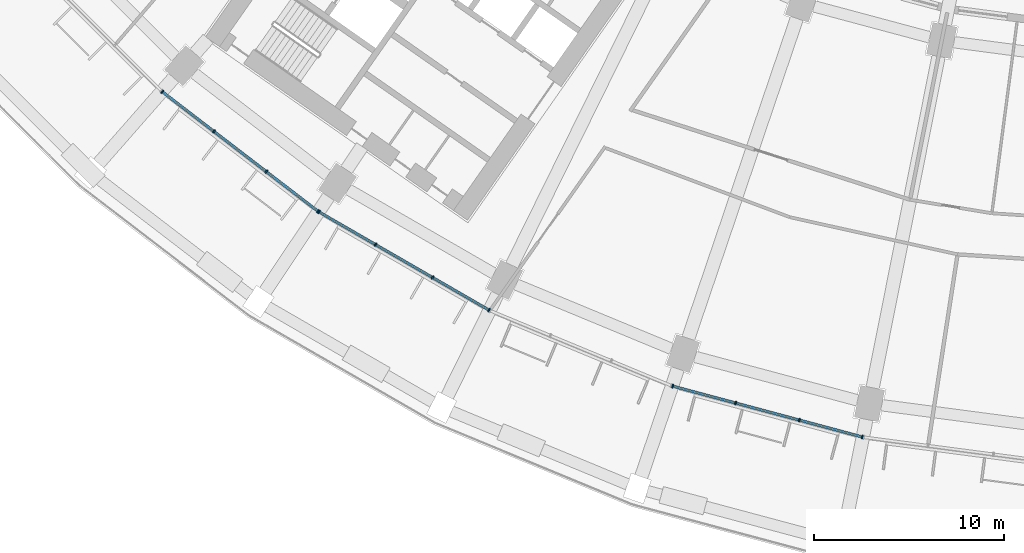
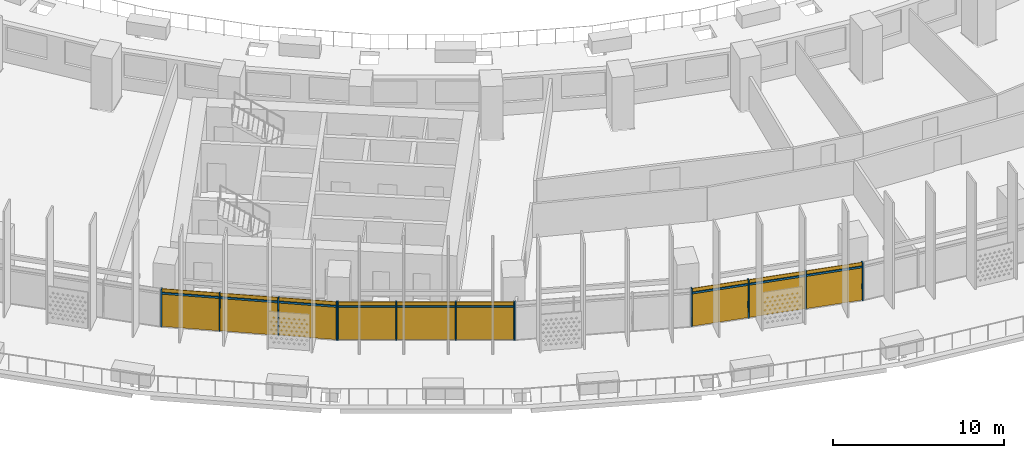
# One storey, part 19 of 35: 21 members, 3 curtain walls.
"""IFC4 building model written with IfcOpenShell, lengths in metres."""

from ifc_helpers import new_model, si_unit, direction, frame, origin, origin_2d, place, context, subcontext, project, spatial, rectangle, extrude, material, material_profile, profile_set, type_object, element, aggregate, save


model = new_model("IFC4")

# Units and contexts
model_context = context("Model", 3, precision=1e-05, world=origin(), true_north=direction((0.0, 1.0)))
body_context = subcontext(model_context, "Body", "Model", "MODEL_VIEW")
ifc_project = project(units=[si_unit("LENGTHUNIT", "METRE"), si_unit("AREAUNIT", "SQUARE_METRE"), si_unit("VOLUMEUNIT", "CUBIC_METRE"), si_unit("PLANEANGLEUNIT", "RADIAN"), si_unit("MASSUNIT", "GRAM", prefix="KILO")], contexts=[model_context])

# Member
ifc_material = material(Name="Aluminium 6063-T6 anodised", Category="aluminium")
ifc_material_profile_1 = material_profile(ifc_material, rectangle(XDim=0.199951171875, YDim=0.070068359375, at=origin_2d()))
ifc_profile_set_1 = profile_set([ifc_material_profile_1], Name="Aluminium 6063-T6 anodised")
member_type_1 = type_object("IfcMemberType", Name="Mullion 70 x 200 aluminium", PredefinedType="MULLION", material=ifc_profile_set_1)
site_placement = place(None, origin())
building_placement = place(site_placement, origin())
storey_placement = place(building_placement, frame((0.0, 0.0, 40.5)))
member_1_placement = place(storey_placement, frame((-52.42822265625, -59.825927734375, 0.0), z_axis=(0.0, 0.0, 1.0), x_axis=(0.608761429009, 0.793353340291, 0.0)))
member_1 = element("IfcMember", 1, at=member_1_placement, type_object=member_type_1, Name="e-cw1-L06-out03/M00", PredefinedType="MULLION", context=body_context, shape_type="SweptSolid", body=[
    extrude(rectangle(XDim=0.199951171875, YDim=0.070068359375, at=origin_2d()), origin(), (0.0, 0.0, 1.0), 2.699951171875),
])

member_2_placement = place(storey_placement, frame((-49.70068359375, -61.9189453125, 0.0), z_axis=(0.0, 0.0, 1.0), x_axis=(0.608761429009, 0.793353340291, 0.0)))
member_2 = element("IfcMember", 2, at=member_2_placement, type_object=member_type_1, Name="e-cw1-L06-out03/M01", PredefinedType="MULLION", context=body_context, shape_type="SweptSolid", body=[
    extrude(rectangle(XDim=0.199951171875, YDim=0.070068359375, at=origin_2d()), origin(), (0.0, 0.0, 1.0), 2.699951171875),
])

member_3_placement = place(storey_placement, frame((-46.945556640625, -64.032958984375, 0.0), z_axis=(0.0, 0.0, 1.0), x_axis=(0.608761429009, 0.793353340291, 0.0)))
member_3 = element("IfcMember", 3, at=member_3_placement, type_object=member_type_1, Name="e-cw1-L06-out03/M02", PredefinedType="MULLION", context=body_context, shape_type="SweptSolid", body=[
    extrude(rectangle(XDim=0.199951171875, YDim=0.070068359375, at=origin_2d()), origin(), (0.0, 0.0, 1.0), 2.699951171875),
])

member_4_placement = place(storey_placement, frame((-44.218017578125, -66.1259765625, 0.0), z_axis=(0.0, 0.0, 1.0), x_axis=(0.608761429009, 0.793353340291, 0.0)))
member_4 = element("IfcMember", 4, at=member_4_placement, type_object=member_type_1, Name="e-cw1-L06-out03/M03", PredefinedType="MULLION", context=body_context, shape_type="SweptSolid", body=[
    extrude(rectangle(XDim=0.199951171875, YDim=0.070068359375, at=origin_2d()), origin(), (0.0, 0.0, 1.0), 2.699951171875),
])

member_5_placement = place(storey_placement, frame((-44.1708984375, -66.157470703125, 0.0), z_axis=(0.0, 0.0, 1.0), x_axis=(0.5, 0.866025403784, 0.0)))
member_5 = element("IfcMember", 5, at=member_5_placement, type_object=member_type_1, Name="e-cw1-L06-out04/M00", PredefinedType="MULLION", context=body_context, shape_type="SweptSolid", body=[
    extrude(rectangle(XDim=0.199951171875, YDim=0.070068359375, at=origin_2d()), origin(), (0.0, 0.0, 1.0), 2.699951171875),
])

member_6_placement = place(storey_placement, frame((-41.193603515625, -67.87646484375, 0.0), z_axis=(0.0, 0.0, 1.0), x_axis=(0.5, 0.866025403784, 0.0)))
member_6 = element("IfcMember", 6, at=member_6_placement, type_object=member_type_1, Name="e-cw1-L06-out04/M01", PredefinedType="MULLION", context=body_context, shape_type="SweptSolid", body=[
    extrude(rectangle(XDim=0.199951171875, YDim=0.070068359375, at=origin_2d()), origin(), (0.0, 0.0, 1.0), 2.699951171875),
])

member_7_placement = place(storey_placement, frame((-38.18603515625, -69.61279296875, 0.0), z_axis=(0.0, 0.0, 1.0), x_axis=(0.5, 0.866025403784, 0.0)))
member_7 = element("IfcMember", 7, at=member_7_placement, type_object=member_type_1, Name="e-cw1-L06-out04/M02", PredefinedType="MULLION", context=body_context, shape_type="SweptSolid", body=[
    extrude(rectangle(XDim=0.199951171875, YDim=0.070068359375, at=origin_2d()), origin(), (0.0, 0.0, 1.0), 2.699951171875),
])

member_8_placement = place(storey_placement, frame((-35.20849609375, -71.331787109375, 0.0), z_axis=(0.0, 0.0, 1.0), x_axis=(0.5, 0.866025403784, 0.0)))
member_8 = element("IfcMember", 8, at=member_8_placement, type_object=member_type_1, Name="e-cw1-L06-out04/M03", PredefinedType="MULLION", context=body_context, shape_type="SweptSolid", body=[
    extrude(rectangle(XDim=0.199951171875, YDim=0.070068359375, at=origin_2d()), origin(), (0.0, 0.0, 1.0), 2.699951171875),
])

member_9_placement = place(storey_placement, frame((-25.54296875, -75.33544921875, 0.0), z_axis=(0.0, 0.0, 1.0), x_axis=(0.258819045103, 0.965925826289, 0.0)))
member_9 = element("IfcMember", 9, at=member_9_placement, type_object=member_type_1, Name="e-cw1-L06-out06/M00", PredefinedType="MULLION", context=body_context, shape_type="SweptSolid", body=[
    extrude(rectangle(XDim=0.199951171875, YDim=0.070068359375, at=origin_2d()), origin(), (0.0, 0.0, 1.0), 2.699951171875),
])

member_10_placement = place(storey_placement, frame((-22.22216796875, -76.225341796875, 0.0), z_axis=(0.0, 0.0, 1.0), x_axis=(0.258819045103, 0.965925826289, 0.0)))
member_10 = element("IfcMember", 10, at=member_10_placement, type_object=member_type_1, Name="e-cw1-L06-out06/M01", PredefinedType="MULLION", context=body_context, shape_type="SweptSolid", body=[
    extrude(rectangle(XDim=0.199951171875, YDim=0.070068359375, at=origin_2d()), origin(), (0.0, 0.0, 1.0), 2.699951171875),
])

member_11_placement = place(storey_placement, frame((-18.86767578125, -77.1240234375, 0.0), z_axis=(0.0, 0.0, 1.0), x_axis=(0.258819045103, 0.965925826289, 0.0)))
member_11 = element("IfcMember", 11, at=member_11_placement, type_object=member_type_1, Name="e-cw1-L06-out06/M02", PredefinedType="MULLION", context=body_context, shape_type="SweptSolid", body=[
    extrude(rectangle(XDim=0.199951171875, YDim=0.070068359375, at=origin_2d()), origin(), (0.0, 0.0, 1.0), 2.699951171875),
])

member_12_placement = place(storey_placement, frame((-15.546875, -78.013916015625, 0.0), z_axis=(0.0, 0.0, 1.0), x_axis=(0.258819045103, 0.965925826289, 0.0)))
member_12 = element("IfcMember", 12, at=member_12_placement, type_object=member_type_1, Name="e-cw1-L06-out06/M03", PredefinedType="MULLION", context=body_context, shape_type="SweptSolid", body=[
    extrude(rectangle(XDim=0.199951171875, YDim=0.070068359375, at=origin_2d()), origin(), (0.0, 0.0, 1.0), 2.699951171875),
])

ifc_material_profile_2 = material_profile(ifc_material, rectangle(XDim=0.139892578125, YDim=0.1201171875, at=origin_2d()))
ifc_profile_set_2 = profile_set([ifc_material_profile_2], Name="Aluminium 6063-T6 anodised")
member_type_2 = type_object("IfcMemberType", Name="Transom 120 x 140 aluminium", PredefinedType="USERDEFINED", material=ifc_profile_set_2)
member_13_placement = place(storey_placement, frame((-52.400390625, -59.847412109375, 2.39990234375), z_axis=(0.793375276742, -0.608732839803, 0.0), x_axis=(0.608732839803, 0.793375276742, 0.0)))
member_13 = element("IfcMember", 13, at=member_13_placement, type_object=member_type_2, Name="e-cw1-L06-out03/T00", ObjectType="TRANSOM", PredefinedType="USERDEFINED", context=body_context, shape_type="SweptSolid", body=[
    extrude(rectangle(XDim=0.139892578125, YDim=0.1201171875, at=origin_2d()), origin(), (0.0, 0.0, 1.0), 3.36767578125),
])

member_14_placement = place(storey_placement, frame((-49.673095703125, -61.940185546875, 2.39990234375), z_axis=(0.793356868815, -0.60875683052, 0.0), x_axis=(0.60875683052, 0.793356868815, 0.0)))
member_14 = element("IfcMember", 14, at=member_14_placement, type_object=member_type_2, Name="e-cw1-L06-out03/T01", ObjectType="TRANSOM", PredefinedType="USERDEFINED", context=body_context, shape_type="SweptSolid", body=[
    extrude(rectangle(XDim=0.139892578125, YDim=0.1201171875, at=origin_2d()), origin(), (0.0, 0.0, 1.0), 3.40283203125),
])

member_15_placement = place(storey_placement, frame((-46.917724609375, -64.054443359375, 2.39990234375), z_axis=(0.793375276742, -0.608732839803, 0.0), x_axis=(0.608732839803, 0.793375276742, 0.0)))
member_15 = element("IfcMember", 15, at=member_15_placement, type_object=member_type_2, Name="e-cw1-L06-out03/T02", ObjectType="TRANSOM", PredefinedType="USERDEFINED", context=body_context, shape_type="SweptSolid", body=[
    extrude(rectangle(XDim=0.139892578125, YDim=0.1201171875, at=origin_2d()), origin(), (0.0, 0.0, 1.0), 3.36767578125),
])

member_16_placement = place(storey_placement, frame((-44.140625, -66.175048828125, 2.39990234375), z_axis=(0.866044351828, -0.49996717959, 0.0), x_axis=(0.49996717959, 0.866044351828, 0.0)))
member_16 = element("IfcMember", 16, at=member_16_placement, type_object=member_type_2, Name="e-cw1-L06-out04/T00", ObjectType="TRANSOM", PredefinedType="USERDEFINED", context=body_context, shape_type="SweptSolid", body=[
    extrude(rectangle(XDim=0.139892578125, YDim=0.1201171875, at=origin_2d()), origin(), (0.0, 0.0, 1.0), 3.367919921875),
])

member_17_placement = place(storey_placement, frame((-41.163330078125, -67.893798828125, 2.39990234375), z_axis=(0.866000398227, -0.500043308395, 0.0), x_axis=(0.500043308395, 0.866000398227, 0.0)))
member_17 = element("IfcMember", 17, at=member_17_placement, type_object=member_type_2, Name="e-cw1-L06-out04/T01", ObjectType="TRANSOM", PredefinedType="USERDEFINED", context=body_context, shape_type="SweptSolid", body=[
    extrude(rectangle(XDim=0.139892578125, YDim=0.1201171875, at=origin_2d()), origin(), (0.0, 0.0, 1.0), 3.403076171875),
])

member_18_placement = place(storey_placement, frame((-38.155517578125, -69.63037109375, 2.39990234375), z_axis=(0.866026229868, -0.499998569178, 0.0), x_axis=(0.499998569178, 0.866026229868, 0.0)))
member_18 = element("IfcMember", 18, at=member_18_placement, type_object=member_type_2, Name="e-cw1-L06-out04/T02", ObjectType="TRANSOM", PredefinedType="USERDEFINED", context=body_context, shape_type="SweptSolid", body=[
    extrude(rectangle(XDim=0.139892578125, YDim=0.1201171875, at=origin_2d()), origin(), (0.0, 0.0, 1.0), 3.36767578125),
])

member_19_placement = place(storey_placement, frame((-25.50927734375, -75.344482421875, 2.39990234375), z_axis=(0.965915368772, -0.258858069935, 0.0), x_axis=(0.258858069935, 0.965915368772, 0.0)))
member_19 = element("IfcMember", 19, at=member_19_placement, type_object=member_type_2, Name="e-cw1-L06-out06/T00", ObjectType="TRANSOM", PredefinedType="USERDEFINED", context=body_context, shape_type="SweptSolid", body=[
    extrude(rectangle(XDim=0.139892578125, YDim=0.1201171875, at=origin_2d()), origin(), (0.0, 0.0, 1.0), 3.367919921875),
])

member_20_placement = place(storey_placement, frame((-22.1884765625, -76.234375, 2.39990234375), z_axis=(0.965937804901, -0.258774336176, 0.0), x_axis=(0.258774336176, 0.965937804901, 0.0)))
member_20 = element("IfcMember", 20, at=member_20_placement, type_object=member_type_2, Name="e-cw1-L06-out06/T01", ObjectType="TRANSOM", PredefinedType="USERDEFINED", context=body_context, shape_type="SweptSolid", body=[
    extrude(rectangle(XDim=0.139892578125, YDim=0.1201171875, at=origin_2d()), origin(), (0.0, 0.0, 1.0), 3.403076171875),
])

member_21_placement = place(storey_placement, frame((-18.833740234375, -77.133056640625, 2.39990234375), z_axis=(0.965915368772, -0.258858069935, 0.0), x_axis=(0.258858069935, 0.965915368772, 0.0)))
member_21 = element("IfcMember", 21, at=member_21_placement, type_object=member_type_2, Name="e-cw1-L06-out06/T02", ObjectType="TRANSOM", PredefinedType="USERDEFINED", context=body_context, shape_type="SweptSolid", body=[
    extrude(rectangle(XDim=0.139892578125, YDim=0.1201171875, at=origin_2d()), origin(), (0.0, 0.0, 1.0), 3.367919921875),
])

# Site, building, storey
site = spatial("IfcSite", under=ifc_project, at=site_placement, CompositionType="ELEMENT")
building = spatial("IfcBuilding", under=site, at=building_placement, Name="Qamariyya Broadcast Tower", CompositionType="ELEMENT")
storey = spatial("IfcBuildingStorey", under=building, at=storey_placement, Name="L06", CompositionType="ELEMENT", Elevation=40.5)

# Curtain wall
curtain_wall_type = type_object("IfcCurtainWallType", Name="Unitised curtain wall, anodised aluminium", PredefinedType="NOTDEFINED", material=ifc_material)
curtain_wall_1_placement = place(storey_placement, origin())
curtain_wall_1 = element("IfcCurtainWall", 22, at=curtain_wall_1_placement, inside=storey, type_object=curtain_wall_type, Name="e-cw1-L06-out03", PredefinedType="NOTDEFINED", context=body_context, shape_type="SweptSolid", body=[
    extrude(rectangle(XDim=3.367919921875, YDim=0.031982421875, at=origin_2d()), frame((-51.064453125, -60.872314453125, 0.0), x_axis=(0.79335775203, -0.608755679475, 0.0)), (0.0, 0.0, 1.0), 2.340087890625),
    extrude(rectangle(XDim=3.367919921875, YDim=0.031982421875, at=origin_2d()), frame((-51.064453125, -60.872314453125, 2.4599609375), x_axis=(0.79335775203, -0.608755679475, 0.0)), (0.0, 0.0, 1.0), 0.239990234375),
    extrude(rectangle(XDim=3.40283203125, YDim=0.031982421875, at=origin_2d()), frame((-48.3232421875, -62.97607421875, 0.0), x_axis=(0.79335775203, -0.608755679475, 0.0)), (0.0, 0.0, 1.0), 2.340087890625),
    extrude(rectangle(XDim=3.40283203125, YDim=0.031982421875, at=origin_2d()), frame((-48.3232421875, -62.97607421875, 2.4599609375), x_axis=(0.79335775203, -0.608755679475, 0.0)), (0.0, 0.0, 1.0), 0.239990234375),
    extrude(rectangle(XDim=3.367919921875, YDim=0.031982421875, at=origin_2d()), frame((-45.581787109375, -65.07958984375, 0.0), x_axis=(0.79335775203, -0.608755679475, 0.0)), (0.0, 0.0, 1.0), 2.340087890625),
    extrude(rectangle(XDim=3.367919921875, YDim=0.031982421875, at=origin_2d()), frame((-45.581787109375, -65.07958984375, 2.4599609375), x_axis=(0.79335775203, -0.608755679475, 0.0)), (0.0, 0.0, 1.0), 0.239990234375),
])

aggregate(curtain_wall_1, [member_1, member_2, member_3, member_4, member_13, member_14, member_15])

curtain_wall_2_placement = place(storey_placement, origin())
curtain_wall_2 = element("IfcCurtainWall", 23, at=curtain_wall_2_placement, inside=storey, type_object=curtain_wall_type, Name="e-cw1-L06-out04", PredefinedType="NOTDEFINED", context=body_context, shape_type="SweptSolid", body=[
    extrude(rectangle(XDim=3.367919921875, YDim=0.031982421875, at=origin_2d()), frame((-42.68212890625, -67.016845703125, 0.0), x_axis=(0.86602247392, -0.500005074639, 0.0)), (0.0, 0.0, 1.0), 2.340087890625),
    extrude(rectangle(XDim=3.367919921875, YDim=0.031982421875, at=origin_2d()), frame((-42.68212890625, -67.016845703125, 2.4599609375), x_axis=(0.86602247392, -0.500005074639, 0.0)), (0.0, 0.0, 1.0), 0.239990234375),
    extrude(rectangle(XDim=3.40283203125, YDim=0.031982421875, at=origin_2d()), frame((-39.689697265625, -68.74462890625, 0.0), x_axis=(0.86602247392, -0.500005074639, 0.0)), (0.0, 0.0, 1.0), 2.340087890625),
    extrude(rectangle(XDim=3.40283203125, YDim=0.031982421875, at=origin_2d()), frame((-39.689697265625, -68.74462890625, 2.4599609375), x_axis=(0.86602247392, -0.500005074639, 0.0)), (0.0, 0.0, 1.0), 0.239990234375),
    extrude(rectangle(XDim=3.367919921875, YDim=0.031982421875, at=origin_2d()), frame((-36.697265625, -70.472412109375, 0.0), x_axis=(0.86602247392, -0.500005074639, 0.0)), (0.0, 0.0, 1.0), 2.340087890625),
    extrude(rectangle(XDim=3.367919921875, YDim=0.031982421875, at=origin_2d()), frame((-36.697265625, -70.472412109375, 2.4599609375), x_axis=(0.86602247392, -0.500005074639, 0.0)), (0.0, 0.0, 1.0), 0.239990234375),
])

aggregate(curtain_wall_2, [member_5, member_6, member_7, member_8, member_16, member_17, member_18])

curtain_wall_3_placement = place(storey_placement, origin())
curtain_wall_3 = element("IfcCurtainWall", 24, at=curtain_wall_3_placement, inside=storey, type_object=curtain_wall_type, Name="e-cw1-L06-out06", PredefinedType="NOTDEFINED", context=body_context, shape_type="SweptSolid", body=[
    extrude(rectangle(XDim=3.367919921875, YDim=0.031982421875, at=origin_2d()), frame((-23.882568359375, -75.7802734375, 0.0), x_axis=(0.965925039578, -0.258821981129, 0.0)), (0.0, 0.0, 1.0), 2.340087890625),
    extrude(rectangle(XDim=3.367919921875, YDim=0.031982421875, at=origin_2d()), frame((-23.882568359375, -75.7802734375, 2.4599609375), x_axis=(0.965925039578, -0.258821981129, 0.0)), (0.0, 0.0, 1.0), 0.239990234375),
    extrude(rectangle(XDim=3.40283203125, YDim=0.031982421875, at=origin_2d()), frame((-20.544921875, -76.6748046875, 0.0), x_axis=(0.965925039578, -0.258821981129, 0.0)), (0.0, 0.0, 1.0), 2.340087890625),
    extrude(rectangle(XDim=3.40283203125, YDim=0.031982421875, at=origin_2d()), frame((-20.544921875, -76.6748046875, 2.4599609375), x_axis=(0.965925039578, -0.258821981129, 0.0)), (0.0, 0.0, 1.0), 0.239990234375),
    extrude(rectangle(XDim=3.367919921875, YDim=0.031982421875, at=origin_2d()), frame((-17.207275390625, -77.569091796875, 0.0), x_axis=(0.965925039578, -0.258821981129, 0.0)), (0.0, 0.0, 1.0), 2.340087890625),
    extrude(rectangle(XDim=3.367919921875, YDim=0.031982421875, at=origin_2d()), frame((-17.207275390625, -77.569091796875, 2.4599609375), x_axis=(0.965925039578, -0.258821981129, 0.0)), (0.0, 0.0, 1.0), 0.239990234375),
])

aggregate(curtain_wall_3, [member_9, member_10, member_11, member_12, member_19, member_20, member_21])

save(model, "model.ifc")
